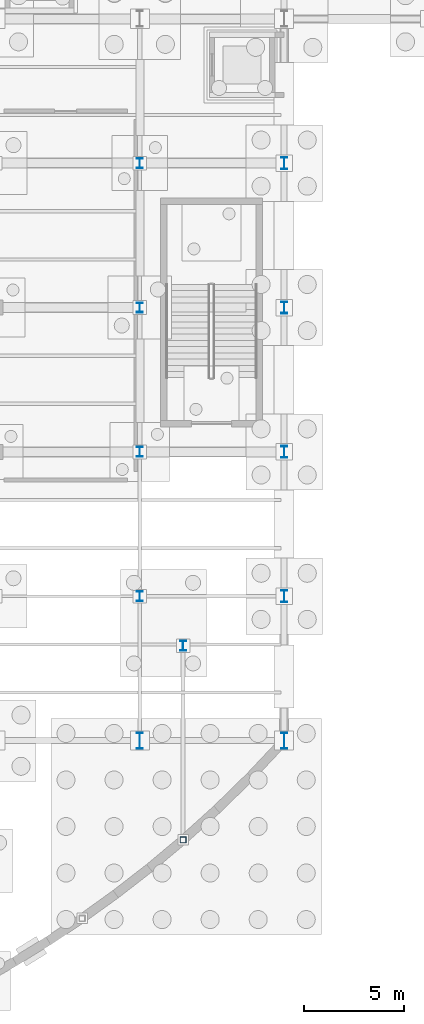
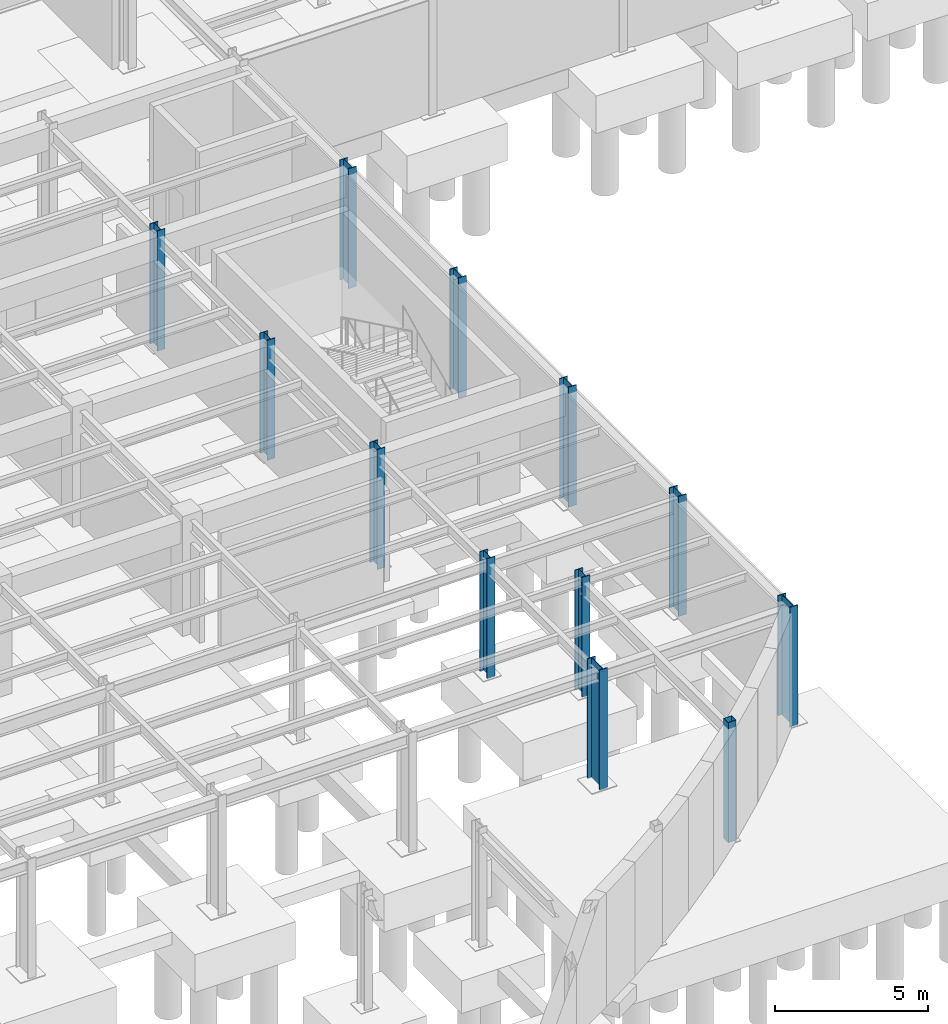
# One storey, part 30 of 64: 12 columns.
"""IFC4 building model written with IfcOpenShell, lengths in metres."""

from ifc_helpers import new_model, si_unit, direction, frame, origin, origin_2d, place, context, subcontext, project, spatial, hollow_rectangle, i_section, extrude, material, material_profile, profile_set, type_object, element, save


model = new_model("IFC4")

# Units and contexts
model_context = context("Model", 3, precision=1e-05, world=origin(), true_north=direction((0.0, 1.0)))
body_context = subcontext(model_context, "Body", "Model", "MODEL_VIEW")
ifc_project = project(units=[si_unit("LENGTHUNIT", "METRE"), si_unit("AREAUNIT", "SQUARE_METRE"), si_unit("VOLUMEUNIT", "CUBIC_METRE"), si_unit("PLANEANGLEUNIT", "RADIAN"), si_unit("MASSUNIT", "GRAM", prefix="KILO")], contexts=[model_context])

# Site, building, storey
site_placement = place(None, origin())
site = spatial("IfcSite", under=ifc_project, at=site_placement, CompositionType="ELEMENT")
building_placement = place(site_placement, origin())
building = spatial("IfcBuilding", under=site, at=building_placement, Name="Solvadek Multi-Sports Hall", CompositionType="ELEMENT")
storey_placement = place(building_placement, frame((0.0, 0.0, -4.800048828125)))
storey = spatial("IfcBuildingStorey", under=building, at=storey_placement, Name="B1", CompositionType="ELEMENT", Elevation=-4.800048828125)

# Columns
ifc_material = material(Name="Steel E350 (350 MPa)", Category="steel")
ifc_material_profile_1 = material_profile(ifc_material, hollow_rectangle(XDim=0.300048828125, YDim=0.300048828125, WallThickness=0.012451171875, at=origin_2d()), Name="SHS 300x300x12.5")
ifc_profile_set_1 = profile_set([ifc_material_profile_1], Name="Steel E350 (350 MPa)")
column_type_1 = type_object("IfcColumnType", Name="STR-COL-SHS300", PredefinedType="COLUMN", material=ifc_profile_set_1)
column_placement = place(storey_placement, frame((131.760009765625, 1.05615234375, 0.0), z_axis=(0.0, 0.0, 1.0), x_axis=(1.0, 0.0, 0.0)))
element("IfcColumn", 1, at=column_placement, inside=storey, type_object=column_type_1, Name="B1 Column C-10 #307", PredefinedType="COLUMN", context=body_context, shape_type="SweptSolid", body=[
    extrude(hollow_rectangle(XDim=0.300048828125, YDim=0.300048828125, WallThickness=0.012451171875, at=origin_2d()), origin(), (0.0, 0.0, 1.0), 4.800048828125),
])
ifc_material_profile_2 = material_profile(ifc_material, i_section(OverallWidth=0.300048828125, OverallDepth=0.5, WebThickness=0.014404296875, FlangeThickness=0.028076171875, at=origin_2d()), Name="WPB 500")
ifc_profile_set_2 = profile_set([ifc_material_profile_2], Name="Steel E350 (350 MPa)")
column_type_2 = type_object("IfcColumnType", Name="STR-COL-WPB500", PredefinedType="COLUMN", material=ifc_profile_set_2)
for number, where, z_axis, x_axis, name in (
    (2, (129.60009765625, 13.199951171875, 0.0), (0.0, 0.0, 1.0), (1.0, 0.0, 0.0), "B1 Column C-05 #231"),
    (3, (129.60009765625, 20.39990234375, 0.0), (0.0, 0.0, 1.0), (1.0, 0.0, 0.0), "B1 Column C-05 #232"),
    (4, (129.60009765625, 27.60009765625, 0.0), (0.0, 0.0, 1.0), (1.0, 0.0, 0.0), "B1 Column C-05 #233"),
    (5, (129.60009765625, 34.800048828125, 0.0), (0.0, 0.0, 1.0), (1.0, 0.0, 0.0), "B1 Column C-05 #234"),
    (6, (131.760009765625, 10.72802734375, 0.0), (0.0, 0.0, 1.0), (1.0, 0.0, 0.0), "B1 Column C-05 #308"),
):
    element("IfcColumn", number, at=place(storey_placement, frame(where, z_axis=z_axis, x_axis=x_axis)), inside=storey, type_object=column_type_2, Name=name, PredefinedType="COLUMN", context=body_context, shape_type="SweptSolid", body=[
        extrude(i_section(OverallWidth=0.300048828125, OverallDepth=0.5, WebThickness=0.014404296875, FlangeThickness=0.028076171875, at=origin_2d()), origin(), (0.0, 0.0, 1.0), 4.800048828125),
    ])
ifc_material_profile_3 = material_profile(ifc_material, i_section(OverallWidth=0.300048828125, OverallDepth=0.60009765625, WebThickness=0.015380859375, FlangeThickness=0.030029296875, at=origin_2d()), Name="WPB 600")
ifc_profile_set_3 = profile_set([ifc_material_profile_3], Name="Steel E350 (350 MPa)")
column_type_3 = type_object("IfcColumnType", Name="STR-COL-WPB600", PredefinedType="COLUMN", material=ifc_profile_set_3)
for number, where, z_axis, x_axis, name in (
    (7, (136.800048828125, 13.199951171875, 0.0), (0.0, 0.0, 1.0), (1.0, 0.0, 0.0), "B1 Column C-03 #237"),
    (8, (136.800048828125, 20.39990234375, 0.0), (0.0, 0.0, 1.0), (1.0, 0.0, 0.0), "B1 Column C-03 #238"),
    (9, (136.800048828125, 27.60009765625, 0.0), (0.0, 0.0, 1.0), (1.0, 0.0, 0.0), "B1 Column C-03 #239"),
    (10, (136.800048828125, 34.800048828125, 0.0), (0.0, 0.0, 1.0), (1.0, 0.0, 0.0), "B1 Column C-03 #240"),
):
    element("IfcColumn", number, at=place(storey_placement, frame(where, z_axis=z_axis, x_axis=x_axis)), inside=storey, type_object=column_type_3, Name=name, PredefinedType="COLUMN", context=body_context, shape_type="SweptSolid", body=[
        extrude(i_section(OverallWidth=0.300048828125, OverallDepth=0.60009765625, WebThickness=0.015380859375, FlangeThickness=0.030029296875, at=origin_2d()), origin(), (0.0, 0.0, 1.0), 4.800048828125),
    ])
ifc_material_profile_4 = material_profile(ifc_material, i_section(OverallWidth=0.300048828125, OverallDepth=0.800048828125, WebThickness=0.017578125, FlangeThickness=0.032958984375, at=origin_2d()), Name="WPB 800")
ifc_profile_set_4 = profile_set([ifc_material_profile_4], Name="Steel E350 (350 MPa)")
column_type_4 = type_object("IfcColumnType", Name="STR-COL-WPB800", PredefinedType="COLUMN", material=ifc_profile_set_4)
for number, where, z_axis, x_axis, name in (
    (11, (129.60009765625, 6.0, 0.0), (0.0, 0.0, 1.0), (1.0, 0.0, 0.0), "B1 Column C-01 #230"),
    (12, (136.800048828125, 6.0, 0.0), (0.0, 0.0, 1.0), (1.0, 0.0, 0.0), "B1 Column C-01 #236"),
):
    element("IfcColumn", number, at=place(storey_placement, frame(where, z_axis=z_axis, x_axis=x_axis)), inside=storey, type_object=column_type_4, Name=name, PredefinedType="COLUMN", context=body_context, shape_type="SweptSolid", body=[
        extrude(i_section(OverallWidth=0.300048828125, OverallDepth=0.800048828125, WebThickness=0.017578125, FlangeThickness=0.032958984375, at=origin_2d()), origin(), (0.0, 0.0, 1.0), 4.800048828125),
    ])

save(model, "model.ifc")
